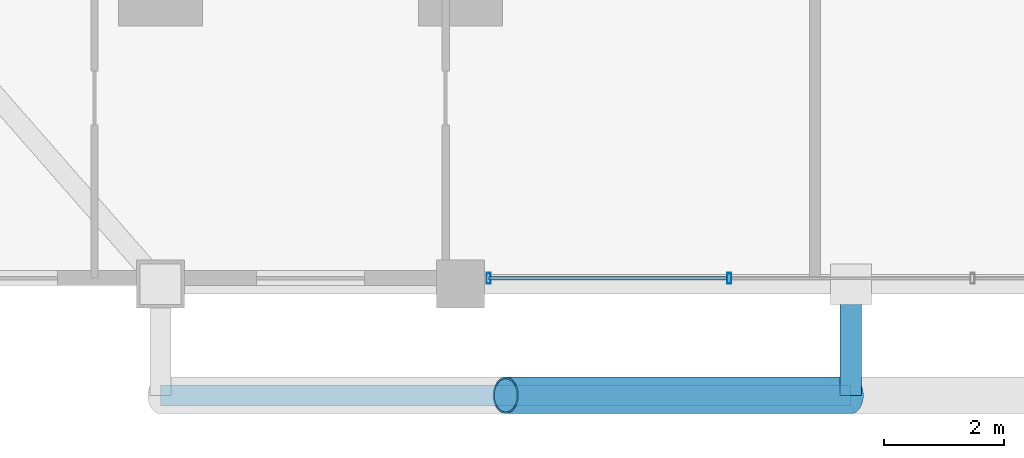
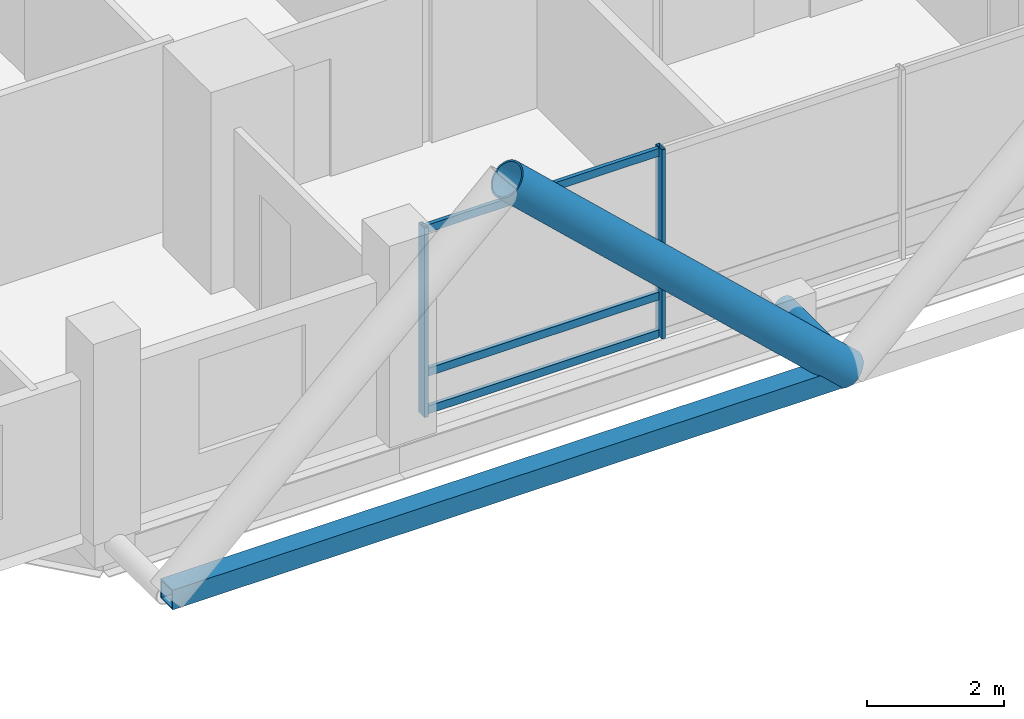
# One storey, part 2 of 27: 8 members, 1 element without a shape of its own.
"""IFC4 building model written with IfcOpenShell, lengths in metres."""

from ifc_helpers import new_model, si_unit, direction, frame, origin, origin_2d, place, context, subcontext, project, spatial, hollow_rectangle, hollow_circle, extrude, material, layer, layer_set, material_profile, profile_set, type_object, element, aggregate, save


model = new_model("IFC4")

# Units and contexts
model_context = context("Model", 3, precision=1e-05, world=origin(), true_north=direction((0.0, 1.0)))
body_context = subcontext(model_context, "Body", "Model", "MODEL_VIEW")
ifc_project = project(units=[si_unit("LENGTHUNIT", "METRE"), si_unit("AREAUNIT", "SQUARE_METRE"), si_unit("VOLUMEUNIT", "CUBIC_METRE"), si_unit("PLANEANGLEUNIT", "RADIAN"), si_unit("MASSUNIT", "GRAM", prefix="KILO")], contexts=[model_context])

# Site, building, storey
site_placement = place(None, origin())
site = spatial("IfcSite", under=ifc_project, at=site_placement, CompositionType="ELEMENT")
building_placement = place(site_placement, origin())
building = spatial("IfcBuilding", under=site, at=building_placement, Name="Barlavira Tower and Art Museum", CompositionType="ELEMENT")
storey_placement = place(building_placement, frame((0.0, 0.0, 72.0)))
storey = spatial("IfcBuildingStorey", under=building, at=storey_placement, Name="L17", CompositionType="ELEMENT", Elevation=72.0)

# Curtain wall, members
ifc_material_1 = material(Name="Low-iron coastal laminated glass", Category="glass")
ifc_layer = layer(ifc_material_1, 0.179931640625, Name="Low-iron coastal laminated glass")
ifc_layer_set = layer_set([ifc_layer], Name="Low-iron coastal laminated glass")
curtain_wall_type = type_object("IfcCurtainWallType", Name="Pale-Metal Unitised Curtain Wall Zone 1", PredefinedType="NOTDEFINED", material=ifc_layer_set)
curtain_wall_placement = place(storey_placement, origin())
curtain_wall = element("IfcCurtainWall", 1, at=curtain_wall_placement, inside=storey, type_object=curtain_wall_type, Name="L17 Curtain Wall CW1-L17-S-B3", PredefinedType="NOTDEFINED")
ifc_material_2 = material(Name="Pale anodised aluminium", Category="aluminium")
ifc_material_profile_1 = material_profile(ifc_material_2, hollow_rectangle(XDim=0.06494140625, YDim=0.179931640625, WallThickness=0.00390625, at=origin_2d()), Name="ALU-MULL 65x180x4")
ifc_profile_set_1 = profile_set([ifc_material_profile_1], Name="Pale anodised aluminium")
member_type_1 = type_object("IfcMemberType", Name="Curtain Wall Pale-Metal Mullion 65x180", PredefinedType="MULLION", material=ifc_profile_set_1)
member_1_placement = place(storey_placement, frame((-6.034912109375, -24.89990234375, 0.0), z_axis=(0.0, 0.0, 1.0), x_axis=(1.0, 0.0, 0.0)))
member_1 = element("IfcMember", 2, at=member_1_placement, type_object=member_type_1, Name="CW1-L17-S-B3 Mullion 0", PredefinedType="MULLION", context=body_context, shape_type="SweptSolid", body=[
    extrude(hollow_rectangle(XDim=0.06494140625, YDim=0.179931640625, WallThickness=0.00390625, at=origin_2d()), origin(), (0.0, 0.0, 1.0), 3.3798828125),
])
member_2_placement = place(storey_placement, frame((-2.026611328125, -24.89990234375, 0.0), z_axis=(0.0, 0.0, 1.0), x_axis=(1.0, 0.0, 0.0)))
member_2 = element("IfcMember", 3, at=member_2_placement, type_object=member_type_1, Name="CW1-L17-S-B3 Mullion 1", PredefinedType="MULLION", context=body_context, shape_type="SweptSolid", body=[
    extrude(hollow_rectangle(XDim=0.06494140625, YDim=0.179931640625, WallThickness=0.00390625, at=origin_2d()), origin(), (0.0, 0.0, 1.0), 3.3798828125),
])
ifc_material_profile_2 = material_profile(ifc_material_2, hollow_rectangle(XDim=0.06494140625, YDim=0.139892578125, WallThickness=0.00390625, at=origin_2d()), Name="ALU-TRAN 65x140x4")
ifc_profile_set_2 = profile_set([ifc_material_profile_2], Name="Pale anodised aluminium")
member_type_2 = type_object("IfcMemberType", Name="Curtain Wall Pale-Metal Transom 65x140", PredefinedType="USERDEFINED", material=ifc_profile_set_2)
member_3_placement = place(storey_placement, frame((-6.034912109375, -24.89990234375, 0.070068359375), z_axis=(1.0, 0.0, 0.0), x_axis=(0.0, 1.0, 0.0)))
member_3 = element("IfcMember", 4, at=member_3_placement, type_object=member_type_2, Name="CW1-L17-S-B3 Transom 0.1", ObjectType="TRANSOM", PredefinedType="USERDEFINED", context=body_context, shape_type="SweptSolid", body=[
    extrude(hollow_rectangle(XDim=0.06494140625, YDim=0.139892578125, WallThickness=0.00390625, at=origin_2d()), origin(), (0.0, 0.0, 1.0), 3.963134765625),
])
member_4_placement = place(storey_placement, frame((-6.034912109375, -24.89990234375, 0.743896484375), z_axis=(1.0, 0.0, 0.0), x_axis=(0.0, 1.0, 0.0)))
member_4 = element("IfcMember", 5, at=member_4_placement, type_object=member_type_2, Name="CW1-L17-S-B3 Transom 0.2", ObjectType="TRANSOM", PredefinedType="USERDEFINED", context=body_context, shape_type="SweptSolid", body=[
    extrude(hollow_rectangle(XDim=0.06494140625, YDim=0.139892578125, WallThickness=0.00390625, at=origin_2d()), origin(), (0.0, 0.0, 1.0), 3.963134765625),
])
member_5_placement = place(storey_placement, frame((-6.034912109375, -24.89990234375, 3.31005859375), z_axis=(1.0, 0.0, 0.0), x_axis=(0.0, 1.0, 0.0)))
member_5 = element("IfcMember", 6, at=member_5_placement, type_object=member_type_2, Name="CW1-L17-S-B3 Transom 0.3", ObjectType="TRANSOM", PredefinedType="USERDEFINED", context=body_context, shape_type="SweptSolid", body=[
    extrude(hollow_rectangle(XDim=0.06494140625, YDim=0.139892578125, WallThickness=0.00390625, at=origin_2d()), origin(), (0.0, 0.0, 1.0), 3.963134765625),
])
aggregate(curtain_wall, [member_1, member_2, member_3, member_4, member_5])

# Members
ifc_material_3 = material(Name="Steel S355", Category="steel")
ifc_material_profile_3 = material_profile(ifc_material_3, hollow_circle(Radius=0.304931640625, WallThickness=0.028076171875, at=origin_2d()), Name="CHS 610.0x28.0")
ifc_profile_set_3 = profile_set([ifc_material_profile_3], Name="Steel S355")
member_type_3 = type_object("IfcMemberType", Name="Pale-Metal Exoskeleton Diagrid Tube CHS 610x28 Steel S355", PredefinedType="BRACE", material=ifc_profile_set_3)
member_6_placement = place(storey_placement, frame((0.0, -26.85009765625, -0.1201171875), z_axis=(-0.728934650808, 0.0, 0.684583285548), x_axis=(0.0, -1.0, 0.0)))
element("IfcMember", 7, at=member_6_placement, inside=storey, type_object=member_type_3, Name="L17 Exoskeleton Diagrid Tube S", PredefinedType="BRACE", context=body_context, shape_type="SweptSolid", body=[
    extrude(hollow_circle(Radius=0.304931640625, WallThickness=0.028076171875, at=origin_2d()), origin(), (0.0, 0.0, 1.0), 7.88818359375),
])
ifc_material_profile_4 = material_profile(ifc_material_3, hollow_rectangle(XDim=0.35009765625, YDim=0.35009765625, WallThickness=0.02001953125, at=origin_2d()), Name="SHS 350x350x20.0")
ifc_profile_set_4 = profile_set([ifc_material_profile_4], Name="Steel S355")
member_type_4 = type_object("IfcMemberType", Name="Pale-Metal Exoskeleton Ring Strut SHS 350x350x20 Steel S355", PredefinedType="STRUT", material=ifc_profile_set_4)
member_7_placement = place(storey_placement, frame((-11.5, -26.85009765625, -0.1201171875), z_axis=(1.0, 0.0, 0.0), x_axis=(0.0, 1.0, 0.0)))
element("IfcMember", 8, at=member_7_placement, inside=storey, type_object=member_type_4, Name="L17 Exoskeleton Ring Strut S", PredefinedType="STRUT", context=body_context, shape_type="SweptSolid", body=[
    extrude(hollow_rectangle(XDim=0.35009765625, YDim=0.35009765625, WallThickness=0.02001953125, at=origin_2d()), origin(), (0.0, 0.0, 1.0), 11.5),
])
ifc_material_profile_5 = material_profile(ifc_material_3, hollow_circle(Radius=0.177734375, WallThickness=0.01611328125, at=origin_2d()), Name="CHS 355.6x16.0")
ifc_profile_set_5 = profile_set([ifc_material_profile_5], Name="Steel S355")
member_type_5 = type_object("IfcMemberType", Name="Pale-Metal Exoskeleton Tie Strut CHS 356x16 Steel S355", PredefinedType="STRUT", material=ifc_profile_set_5)
member_8_placement = place(storey_placement, frame((0.0, -26.85009765625, -0.1201171875), z_axis=(0.0, 1.0, 0.0), x_axis=(-1.0, 0.0, 0.0)))
element("IfcMember", 9, at=member_8_placement, inside=storey, type_object=member_type_5, Name="L17 Exoskeleton Tie Strut S2", PredefinedType="STRUT", context=body_context, shape_type="SweptSolid", body=[
    extrude(hollow_circle(Radius=0.177734375, WallThickness=0.01611328125, at=origin_2d()), origin(), (0.0, 0.0, 1.0), 1.85009765625),
])

save(model, "model.ifc")
